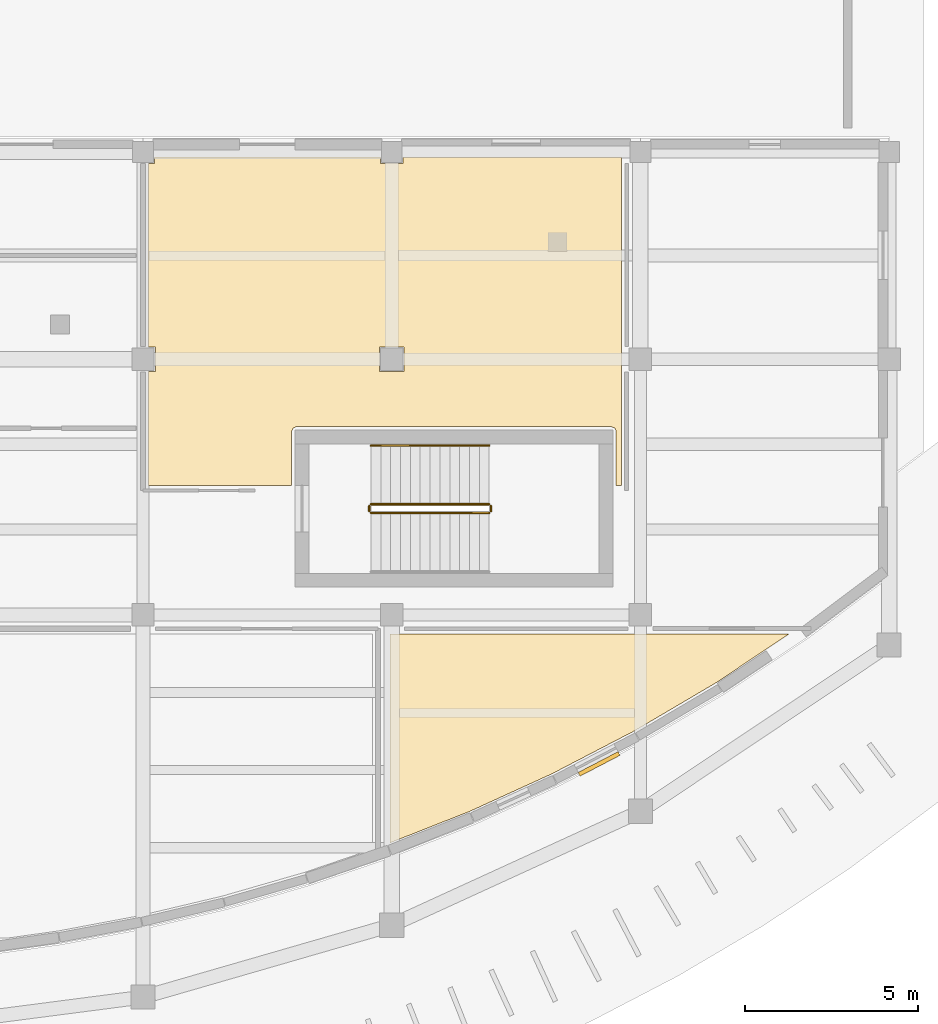
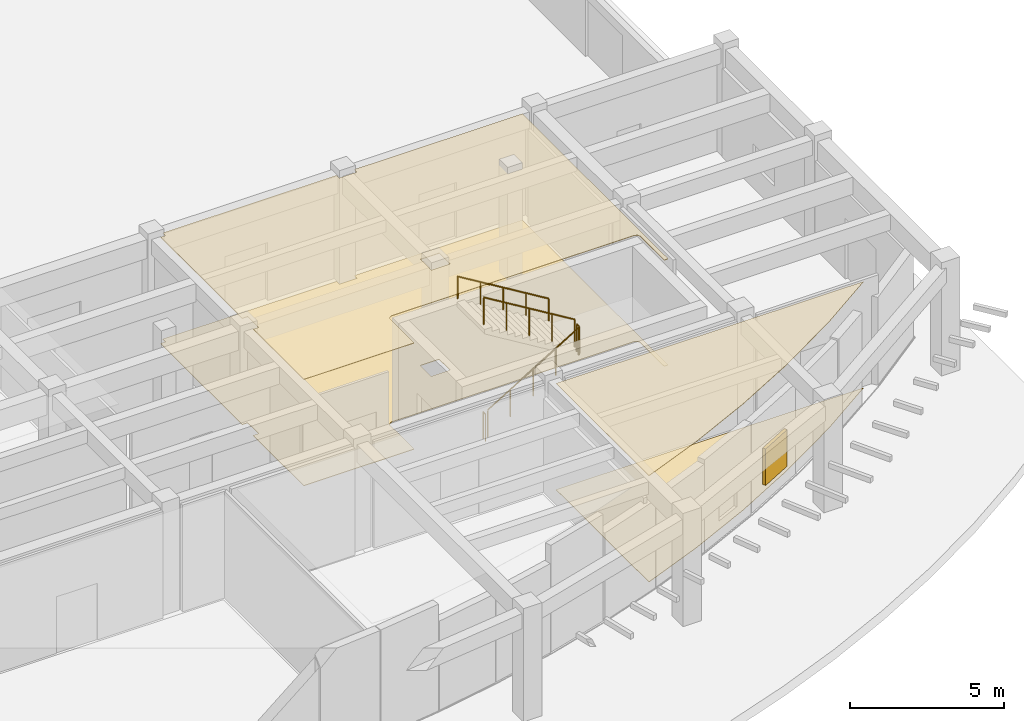
# One storey, part 55 of 58: 5 railings, 4 coverings, 1 shading device.
"""IFC4 building model written with IfcOpenShell, lengths in metres."""

import ifcopenshell
import ifcopenshell.guid

model = None  # the IFC model being written
_history = None  # IfcOwnerHistory: only IFC2X3 demands one
_inside = {}  # id of a spatial element -> (the spatial element, [elements in it])
_under = {}  # id of a project, library or spatial element -> (it, [spatial elements below it])
_declared = {}  # id of a project -> (the project, [libraries it declares])
_typed = {}  # id of a type object -> (the type object, [elements of that type])
_made_of = {}  # id of a material, layer set ... -> (it, [elements and type objects made of it])


def new_model(schema):
    """Start an empty IFC model of exactly this schema.

    Asked for "IFC4X3", IfcOpenShell would pick the latest addendum, in which some entities
    have other attributes; the version numbers below select the first issue.
    IFC2X3 requires an IfcOwnerHistory on every rooted entity: one is made here for all.
    """
    global model, _history
    if schema == "IFC4X3":
        model = ifcopenshell.file(schema_version=(4, 3, 0, 0))
    else:
        model = ifcopenshell.file(schema=schema)
    _inside.clear()
    _under.clear()
    _declared.clear()
    _typed.clear()
    _made_of.clear()
    _history = None
    if model.schema == "IFC2X3":
        org = make("IfcOrganization", Name="unknown")
        user = make(
            "IfcPersonAndOrganization",
            ThePerson=make("IfcPerson", FamilyName="unknown"),
            TheOrganization=org,
        )
        app = make(
            "IfcApplication",
            ApplicationDeveloper=org,
            Version="unknown",
            ApplicationFullName="unknown",
            ApplicationIdentifier="unknown",
        )
        _history = make(
            "IfcOwnerHistory",
            OwningUser=user,
            OwningApplication=app,
            ChangeAction="ADDED",
            CreationDate=0,
        )
    return model


def make(cls, **values):
    """One entity of the class cls with the attributes given. An attribute that is None is left unset."""
    return model.create_entity(
        cls, **{name: value for name, value in values.items() if value is not None}
    )


def rooted(cls, **values):
    """An entity with a GlobalId (a new one), such as an element, a storey or a relation."""
    return make(cls, GlobalId=ifcopenshell.guid.new(), OwnerHistory=_history, **values)


def si_unit(unit_type, name, prefix=None):
    """IfcSIUnit, for example si_unit("LENGTHUNIT", "METRE", prefix="MILLI")."""
    return make("IfcSIUnit", UnitType=unit_type, Prefix=prefix, Name=name)


def assignment(units):
    """IfcUnitAssignment: the units of a project."""
    return None if units is None else make("IfcUnitAssignment", Units=units)


def point(xyz):
    """IfcCartesianPoint."""
    return None if xyz is None else make("IfcCartesianPoint", Coordinates=xyz)


def direction(xyz):
    """IfcDirection."""
    return None if xyz is None else make("IfcDirection", DirectionRatios=xyz)


def frame(location, z_axis=None, x_axis=None):
    """IfcAxis2Placement3D, a coordinate frame: its origin and axes. An axis left out is left unset."""
    return make(
        "IfcAxis2Placement3D",
        Location=point(location),
        Axis=direction(z_axis),
        RefDirection=direction(x_axis),
    )


def frame_2d(location, x_axis=None):
    """IfcAxis2Placement2D, a coordinate frame in the plane: its origin and x axis."""
    return make(
        "IfcAxis2Placement2D", Location=point(location), RefDirection=direction(x_axis)
    )


def origin():
    """The frame at (0, 0, 0) with its axes left unset."""
    return frame((0.0, 0.0, 0.0))


def origin_2d():
    """The frame at (0, 0) in the plane with its x axis left unset."""
    return frame_2d((0.0, 0.0))


def place(relative_to, where):
    """IfcLocalPlacement: puts the frame where relative to a parent placement (None: the world)."""
    return make(
        "IfcLocalPlacement", PlacementRelTo=relative_to, RelativePlacement=where
    )


def context(
    kind, dimensions, precision=None, world=None, true_north=None, identifier=None
):
    """IfcGeometricRepresentationContext, for example the 3D "Model" context."""
    return make(
        "IfcGeometricRepresentationContext",
        ContextIdentifier=identifier,
        ContextType=kind,
        CoordinateSpaceDimension=dimensions,
        Precision=precision,
        WorldCoordinateSystem=world,
        TrueNorth=true_north,
    )


def subcontext(parent, identifier, kind, view, scale=None):
    """IfcGeometricRepresentationSubContext, for example "Body" below "Model"."""
    return make(
        "IfcGeometricRepresentationSubContext",
        ContextIdentifier=identifier,
        ContextType=kind,
        ParentContext=parent,
        TargetScale=scale,
        TargetView=view,
    )


def project(units=None, contexts=None):
    """IfcProject with its units and contexts."""
    return rooted(
        "IfcProject",
        Name="project",
        RepresentationContexts=contexts,
        UnitsInContext=assignment(units),
    )


def spatial(cls, under=None, at=None, **own):
    """A site, building, storey or space (cls), placed at a placement, below another one or the project."""
    s = rooted(cls, ObjectPlacement=at, **own)
    if under is not None:
        _under.setdefault(under.id(), (under, []))[1].append(s)
    return s


def polyline(points):
    """IfcPolyline through the points."""
    return make("IfcPolyline", Points=[point(p) for p in points])


def profile(cls, at=None, kind="AREA", **sizes):
    """A parametric profile (cls). Its sizes go by their IFC names, for example OverallWidth=200.0."""
    return make(cls, ProfileType=kind, Position=at, **sizes)


def rectangle(**sizes):
    """IfcRectangleProfileDef."""
    return profile("IfcRectangleProfileDef", **sizes)


def circle(**sizes):
    """IfcCircleProfileDef."""
    return profile("IfcCircleProfileDef", **sizes)


def outline(outer, holes=None, kind="AREA"):
    """IfcArbitraryClosedProfileDef: a profile drawn as a closed curve; with holes, ...WithVoids."""
    if holes is None:
        return make("IfcArbitraryClosedProfileDef", ProfileType=kind, OuterCurve=outer)
    return make(
        "IfcArbitraryProfileDefWithVoids",
        ProfileType=kind,
        OuterCurve=outer,
        InnerCurves=holes,
    )


def extrude(swept, where, along, depth):
    """IfcExtrudedAreaSolid: the profile swept, set in the frame where, extruded along a direction by depth."""
    return make(
        "IfcExtrudedAreaSolid",
        SweptArea=swept,
        Position=where,
        ExtrudedDirection=direction(along),
        Depth=depth,
    )


def shape(context_of_items, identifier, shape_type, items):
    """IfcShapeRepresentation: the items that make up one representation, for example the "Body"."""
    return make(
        "IfcShapeRepresentation",
        ContextOfItems=context_of_items,
        RepresentationIdentifier=identifier,
        RepresentationType=shape_type,
        Items=items,
    )


def material(Name=None, Category=None):
    """IfcMaterial."""
    return make("IfcMaterial", Name=Name, Category=Category)


def layer(
    of_material, thickness, ventilated=None, Name=None, Category=None, Priority=None
):
    """IfcMaterialLayer: one layer of a wall or slab, of a material (None: an air gap)."""
    return make(
        "IfcMaterialLayer",
        Material=of_material,
        LayerThickness=thickness,
        IsVentilated=ventilated,
        Name=Name,
        Category=Category,
        Priority=Priority,
    )


def layer_set(layers, Name=None):
    """IfcMaterialLayerSet."""
    return make("IfcMaterialLayerSet", MaterialLayers=layers, LayerSetName=Name)


def made_of(thing, what):
    """Note that an element or type object is made of a material, layer set ...; save() writes the relation."""
    if what is not None:
        _made_of.setdefault(what.id(), (what, []))[1].append(thing)
    return thing


def type_object(cls, material=None, **own):
    """A type object (cls), such as IfcWallType, which elements share."""
    return made_of(rooted(cls, **own), material)


def element(
    cls,
    number,
    at=None,
    inside=None,
    cuts=None,
    type_object=None,
    material=None,
    context=None,
    identifier="Body",
    shape_type=None,
    held_by="IfcProductDefinitionShape",
    body=None,
    shapes=None,
    **own,
):
    """One element of the class cls, such as IfcWall. Its Tag is "e" and its number.

    at: its placement. inside: the storey or other place that contains it. cuts: it is an
    opening in that element (IfcRelVoidsElement). A single representation is given by context,
    identifier, shape_type and body (its items); several are given by shapes. held_by: the class
    of the entity that holds the representations. save() writes the other relations.
    """
    e = rooted(cls, Tag="e%d" % number, ObjectPlacement=at, **own)
    if body is not None:
        shapes = [shape(context, identifier, shape_type, body)]
    if shapes is not None:
        e.Representation = make(held_by, Representations=shapes)
    if inside is not None:
        _inside.setdefault(inside.id(), (inside, []))[1].append(e)
    if cuts is not None:
        rooted(
            "IfcRelVoidsElement", RelatingBuildingElement=cuts, RelatedOpeningElement=e
        )
    if type_object is not None:
        _typed.setdefault(type_object.id(), (type_object, []))[1].append(e)
    return made_of(e, material)


def aggregate(whole, parts):
    """IfcRelAggregates: a whole, such as a stair, and the parts it consists of."""
    return rooted("IfcRelAggregates", RelatingObject=whole, RelatedObjects=parts)


def save(model, path):
    """Write the relations noted so far, then the file.

    IfcRelAggregates (storeys below a building ...), IfcRelContainedInSpatialStructure (elements
    in a storey), IfcRelDefinesByType, IfcRelAssociatesMaterial and IfcRelDeclares: one each for
    every whole, place, type object, material and project.
    """
    for whole, parts in _under.values():
        aggregate(whole, parts)
    for where, things in _inside.values():
        rooted(
            "IfcRelContainedInSpatialStructure",
            RelatedElements=things,
            RelatingStructure=where,
        )
    for kind, things in _typed.values():
        rooted("IfcRelDefinesByType", RelatedObjects=things, RelatingType=kind)
    for what, things in _made_of.values():
        rooted("IfcRelAssociatesMaterial", RelatedObjects=things, RelatingMaterial=what)
    for by, libraries in _declared.values():
        rooted("IfcRelDeclares", RelatingContext=by, RelatedDefinitions=libraries)
    model.write(path)


model = new_model("IFC4")

# Units and contexts
model_context = context("Model", 3, precision=1e-05, world=origin(), true_north=direction((0.0, 1.0)))
body_context = subcontext(model_context, "Body", "Model", "MODEL_VIEW")
ifc_project = project(units=[si_unit("LENGTHUNIT", "METRE"), si_unit("AREAUNIT", "SQUARE_METRE"), si_unit("VOLUMEUNIT", "CUBIC_METRE"), si_unit("PLANEANGLEUNIT", "RADIAN"), si_unit("MASSUNIT", "GRAM", prefix="KILO")], contexts=[model_context])

# Site, building, storey
site_placement = place(None, origin())
site = spatial("IfcSite", under=ifc_project, at=site_placement, CompositionType="ELEMENT")
building_placement = place(site_placement, origin())
building = spatial("IfcBuilding", under=site, at=building_placement, Name="Brisavento Harbour Community Centre", CompositionType="ELEMENT")
storey_placement = place(building_placement, origin())
storey = spatial("IfcBuildingStorey", under=building, at=storey_placement, Name="L00", CompositionType="ELEMENT", Elevation=0.0)

# Coverings
ifc_material_1 = material(Name="Perforated acoustic gypsum ceiling board", Category="other")
ifc_layer_1 = layer(ifc_material_1, 0.02490234375, Name="Perforated acoustic gypsum ceiling board")
ifc_layer_set_1 = layer_set([ifc_layer_1], Name="Perforated acoustic gypsum ceiling board")
covering_type_1 = type_object("IfcCoveringType", Name="COV-CEIL-AC", PredefinedType="CEILING", material=ifc_layer_set_1)
covering_1_placement = place(storey_placement, frame((0.0, 0.0, 4.215087890625)))
element("IfcCovering", 1, at=covering_1_placement, inside=storey, type_object=covering_type_1, Name="L00 Children Creative Activity Room acoustic ceiling", PredefinedType="CEILING", context=body_context, shape_type="SweptSolid", body=[
    extrude(outline(polyline([(158.35009765625, 8.3994140625), (160.65478515625, 9.30908203125), (163.03759765625, 10.397705078125), (165.42041015625, 11.637939453125), (167.80322265625, 13.042724609375), (169.904296875, 14.449951171875), (158.35009765625, 14.449951171875), (158.35009765625, 8.3994140625)])), origin(), (0.0, 0.0, 1.0), 0.02490234375),
])
covering_2_placement = place(storey_placement, frame((0.0, 0.0, 4.215087890625)))
element("IfcCovering", 2, at=covering_2_placement, inside=storey, type_object=covering_type_1, Name="L00 Parents Waiting and Feeding Lounge acoustic ceiling", PredefinedType="CEILING", context=body_context, shape_type="SweptSolid", body=[
    extrude(outline(polyline([(151.35009765625, 22.7548828125), (151.554931640625, 22.7548828125), (151.554931640625, 22.044921875), (151.35009765625, 22.044921875), (151.35009765625, 18.75), (155.5, 18.75), (155.500732421875, 20.314697265625), (155.5439453125, 20.406005859375), (155.63525390625, 20.44921875), (164.75, 20.449951171875), (164.856201171875, 20.406005859375), (164.8994140625, 20.314697265625), (164.89990234375, 18.75), (165.050048828125, 18.75), (165.050048828125, 28.25), (158.72998046875, 28.25), (158.72998046875, 28.070068359375), (158.070068359375, 28.070068359375), (158.070068359375, 28.25), (151.530029296875, 28.25), (151.530029296875, 28.070068359375), (151.35009765625, 28.070068359375), (151.35009765625, 22.7548828125)]), holes=[polyline([(158.044921875, 22.7548828125), (158.7548828125, 22.7548828125), (158.7548828125, 22.044921875), (158.044921875, 22.044921875), (158.044921875, 22.7548828125)])]), origin(), (0.0, 0.0, 1.0), 0.02490234375),
])
ifc_material_2 = material(Name="Polished marine terrazzo tile", Category="other")
ifc_layer_2 = layer(ifc_material_2, 0.02001953125, Name="Polished marine terrazzo tile")
ifc_layer_set_2 = layer_set([ifc_layer_2], Name="Polished marine terrazzo tile")
covering_type_2 = type_object("IfcCoveringType", Name="COV-FLR-TRZ", PredefinedType="FLOORING", material=ifc_layer_set_2)
covering_3_placement = place(storey_placement, origin())
element("IfcCovering", 3, at=covering_3_placement, inside=storey, type_object=covering_type_2, Name="L00 Children Creative Activity Room terrazzo flooring", PredefinedType="FLOORING", context=body_context, shape_type="SweptSolid", body=[
    extrude(outline(polyline([(158.35009765625, 8.3994140625), (160.65478515625, 9.30908203125), (163.03759765625, 10.397705078125), (165.42041015625, 11.637939453125), (167.80322265625, 13.042724609375), (169.904296875, 14.449951171875), (158.35009765625, 14.449951171875), (158.35009765625, 8.3994140625)])), origin(), (0.0, 0.0, 1.0), 0.02001953125),
])
covering_4_placement = place(storey_placement, origin())
element("IfcCovering", 4, at=covering_4_placement, inside=storey, type_object=covering_type_2, Name="L00 Parents Waiting and Feeding Lounge terrazzo flooring", PredefinedType="FLOORING", context=body_context, shape_type="SweptSolid", body=[
    extrude(outline(polyline([(151.35009765625, 22.7548828125), (151.554931640625, 22.7548828125), (151.554931640625, 22.044921875), (151.35009765625, 22.044921875), (151.35009765625, 18.75), (155.5, 18.75), (155.500732421875, 20.314697265625), (155.5439453125, 20.406005859375), (155.63525390625, 20.44921875), (164.75, 20.449951171875), (164.856201171875, 20.406005859375), (164.8994140625, 20.314697265625), (164.89990234375, 18.75), (165.050048828125, 18.75), (165.050048828125, 28.25), (158.72998046875, 28.25), (158.72998046875, 28.070068359375), (158.070068359375, 28.070068359375), (158.070068359375, 28.25), (151.530029296875, 28.25), (151.530029296875, 28.070068359375), (151.35009765625, 28.070068359375), (151.35009765625, 22.7548828125)]), holes=[polyline([(158.044921875, 22.7548828125), (158.7548828125, 22.7548828125), (158.7548828125, 22.044921875), (158.044921875, 22.044921875), (158.044921875, 22.7548828125)])]), origin(), (0.0, 0.0, 1.0), 0.02001953125),
])

# Railings
ifc_material_3 = material(Name="Stainless steel 1.4401", Category="steel")
railing_type_1 = type_object("IfcRailingType", Name="RL-ST-GUARD", PredefinedType="GUARDRAIL", material=ifc_material_3)
railing_1_placement = place(storey_placement, frame((157.800048828125, 17.949951171875, 0.173095703125)))
element("IfcRailing", 5, at=railing_1_placement, inside=storey, type_object=railing_type_1, Name="L00 ST-05 stair guard 1", PredefinedType="GUARDRAIL", context=body_context, shape_type="SweptSolid", body=[
    extrude(circle(Radius=0.02392578125, at=origin_2d()), frame((0.0, 0.0, 1.076171875), z_axis=(0.854729506542, 0.0, 0.519073665916), x_axis=(0.0, 1.0, 0.0)), (0.0, 0.0, 1.0), 4.001220703125),
    extrude(circle(Radius=0.02099609375, at=origin_2d()), origin(), (0.0, 0.0, 1.0), 1.052001953125),
    extrude(circle(Radius=0.02099609375, at=origin_2d()), frame((0.85498046875, 0.0, 0.519287109375)), (0.0, 0.0, 1.0), 1.052001953125),
    extrude(circle(Radius=0.02099609375, at=origin_2d()), frame((1.7099609375, 0.0, 1.03857421875)), (0.0, 0.0, 1.0), 1.052001953125),
    extrude(circle(Radius=0.02099609375, at=origin_2d()), frame((2.56494140625, 0.0, 1.5576171875)), (0.0, 0.0, 1.0), 1.052001953125),
    extrude(circle(Radius=0.02099609375, at=origin_2d()), frame((3.419921875, 0.0, 2.076904296875)), (0.0, 0.0, 1.0), 1.052001953125),
])
railing_2_placement = place(storey_placement, frame((161.27001953125, 18.0, 2.25)))
element("IfcRailing", 6, at=railing_2_placement, inside=storey, type_object=railing_type_1, Name="L00 ST-05 stair guard 2", PredefinedType="GUARDRAIL", context=body_context, shape_type="SweptSolid", body=[
    extrude(circle(Radius=0.02392578125, at=origin_2d()), frame((0.0, 0.0, 1.076171875), z_axis=(0.0, 1.0, 0.0), x_axis=(-1.0, 0.0, 0.0)), (0.0, 0.0, 1.0), 0.14990234375),
    extrude(circle(Radius=0.02099609375, at=origin_2d()), origin(), (0.0, 0.0, 1.0), 1.052001953125),
    extrude(circle(Radius=0.02099609375, at=origin_2d()), frame((0.0, 0.14990234375, 0.0)), (0.0, 0.0, 1.0), 1.052001953125),
])
railing_3_placement = place(storey_placement, frame((161.219970703125, 18.199951171875, 2.423095703125)))
element("IfcRailing", 7, at=railing_3_placement, inside=storey, type_object=railing_type_1, Name="L00 ST-05 stair guard 3", PredefinedType="GUARDRAIL", context=body_context, shape_type="SweptSolid", body=[
    extrude(circle(Radius=0.02392578125, at=origin_2d()), frame((0.0, 0.0, 1.076171875), z_axis=(-0.854729506542, 0.0, 0.519073665916), x_axis=(0.0, -1.0, 0.0)), (0.0, 0.0, 1.0), 4.001220703125),
    extrude(circle(Radius=0.02099609375, at=origin_2d()), origin(), (0.0, 0.0, 1.0), 1.052001953125),
    extrude(circle(Radius=0.02099609375, at=origin_2d()), frame((-0.85498046875, 0.0, 0.519287109375)), (0.0, 0.0, 1.0), 1.052001953125),
    extrude(circle(Radius=0.02099609375, at=origin_2d()), frame((-1.7099609375, 0.0, 1.03857421875)), (0.0, 0.0, 1.0), 1.052001953125),
    extrude(circle(Radius=0.02099609375, at=origin_2d()), frame((-2.56494140625, 0.0, 1.5576171875)), (0.0, 0.0, 1.0), 1.052001953125),
    extrude(circle(Radius=0.02099609375, at=origin_2d()), frame((-3.419921875, 0.0, 2.076904296875)), (0.0, 0.0, 1.0), 1.052001953125),
])
railing_4_placement = place(storey_placement, frame((157.75, 18.0, 0.0)))
element("IfcRailing", 8, at=railing_4_placement, inside=storey, type_object=railing_type_1, Name="L00 ST-05 stair guard 4", PredefinedType="GUARDRAIL", context=body_context, shape_type="SweptSolid", body=[
    extrude(circle(Radius=0.02392578125, at=origin_2d()), frame((0.0, 0.0, 1.076171875), z_axis=(0.0, 1.0, 0.0), x_axis=(-1.0, 0.0, 0.0)), (0.0, 0.0, 1.0), 0.14990234375),
    extrude(circle(Radius=0.02099609375, at=origin_2d()), origin(), (0.0, 0.0, 1.0), 1.052001953125),
    extrude(circle(Radius=0.02099609375, at=origin_2d()), frame((0.0, 0.14990234375, 0.0)), (0.0, 0.0, 1.0), 1.052001953125),
])
railing_type_2 = type_object("IfcRailingType", Name="RL-ST-HAND", PredefinedType="HANDRAIL", material=ifc_material_3)
railing_5_placement = place(storey_placement, frame((161.219970703125, 19.89990234375, 2.423095703125)))
element("IfcRailing", 9, at=railing_5_placement, inside=storey, type_object=railing_type_2, Name="L00 ST-05 stair handrail 2", PredefinedType="HANDRAIL", context=body_context, shape_type="SweptSolid", body=[
    extrude(circle(Radius=0.02392578125, at=origin_2d()), frame((0.0, 0.0, 0.8759765625), z_axis=(-0.854729506542, 0.0, 0.519073665916), x_axis=(0.0, -1.0, 0.0)), (0.0, 0.0, 1.0), 4.001220703125),
    extrude(circle(Radius=0.02099609375, at=origin_2d()), origin(), (0.0, 0.0, 1.0), 0.851806640625),
    extrude(circle(Radius=0.02099609375, at=origin_2d()), frame((-0.85498046875, 0.0, 0.519287109375)), (0.0, 0.0, 1.0), 0.851806640625),
    extrude(circle(Radius=0.02099609375, at=origin_2d()), frame((-1.7099609375, 0.0, 1.03857421875)), (0.0, 0.0, 1.0), 0.851806640625),
    extrude(circle(Radius=0.02099609375, at=origin_2d()), frame((-2.56494140625, 0.0, 1.5576171875)), (0.0, 0.0, 1.0), 0.851806640625),
    extrude(circle(Radius=0.02099609375, at=origin_2d()), frame((-3.419921875, 0.0, 2.076904296875)), (0.0, 0.0, 1.0), 0.851806640625),
])

# Shading device
ifc_material_4 = material(Name="Marine-anodised aluminium AW-6063-T6", Category="aluminium")
ifc_layer_3 = layer(ifc_material_4, 0.1201171875, Name="Marine-anodised aluminium AW-6063-T6")
ifc_layer_set_3 = layer_set([ifc_layer_3], Name="Marine-anodised aluminium AW-6063-T6")
shading_device_type = type_object("IfcShadingDeviceType", Name="SHD-LOUVRE", PredefinedType="JALOUSIE", material=ifc_layer_set_3)
shading_device_placement = place(storey_placement, frame((164.40234375, 10.685302734375, 0.75), z_axis=(0.0, 0.0, 1.0), x_axis=(-0.887026950705, -0.461717650435, 0.0)))
element("IfcShadingDevice", 10, at=shading_device_placement, inside=storey, type_object=shading_device_type, Name="L00 hurricane storm louvre 04", PredefinedType="JALOUSIE", context=body_context, shape_type="SweptSolid", body=[
    extrude(rectangle(XDim=1.300048828125, YDim=0.1201171875, at=origin_2d()), origin(), (0.0, 0.0, 1.0), 1.449951171875),
])

save(model, "model.ifc")
